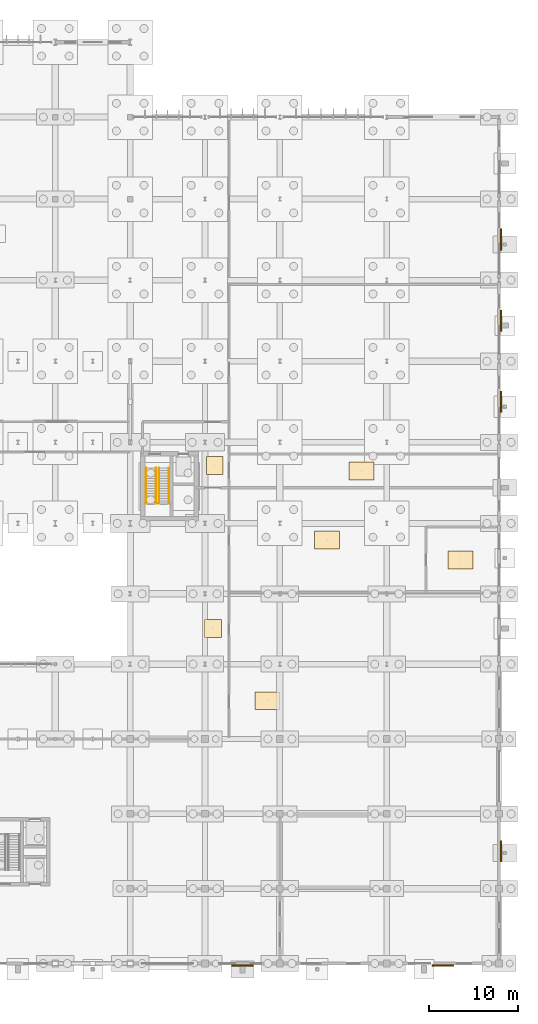
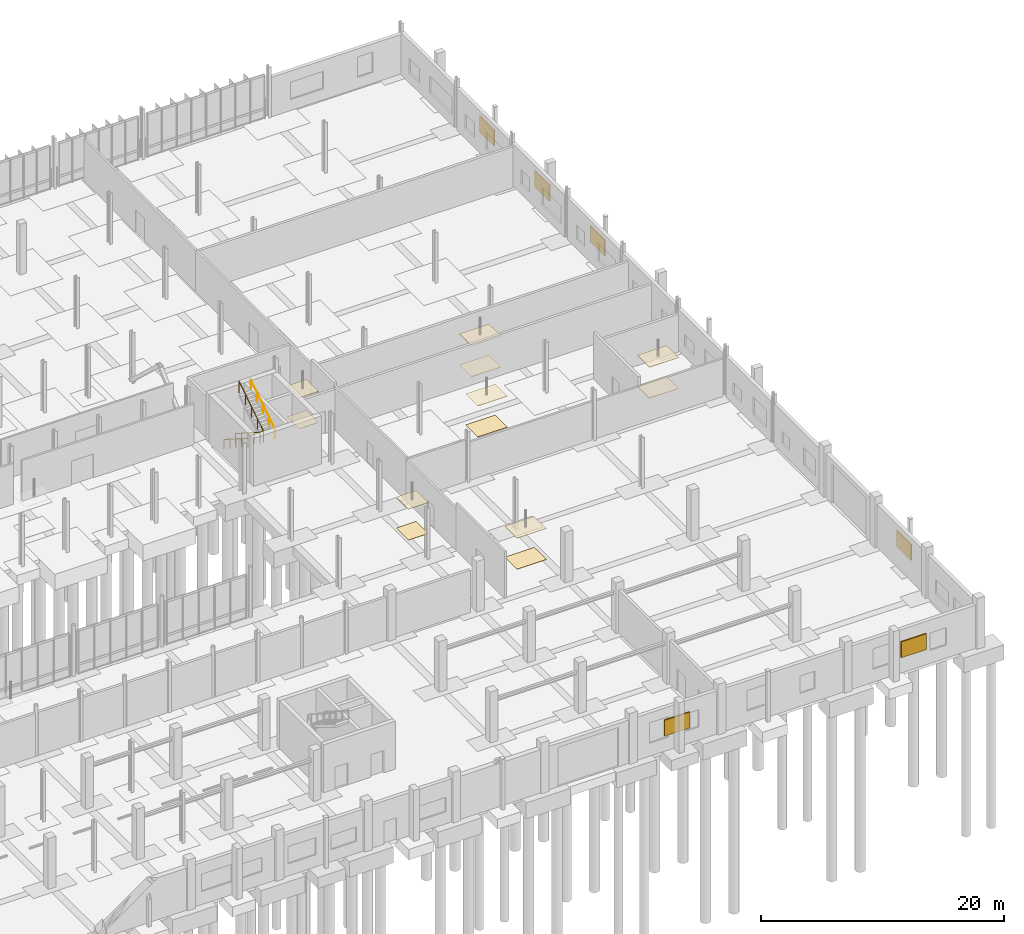
# One storey, part 117 of 119: 12 coverings, 6 shading devices, 3 railings.
"""IFC4 building model written with IfcOpenShell, lengths in metres."""

from ifc_helpers import new_model, si_unit, derived_unit, direction, frame, origin, origin_2d, place, context, subcontext, project, spatial, polyline, rectangle, circle, outline, extrude, material, layer, layer_set, type_object, element, save


model = new_model("IFC4")

# Units and contexts
model_context = context("Model", 3, precision=1e-05, world=origin(), true_north=direction((0.0, 1.0)))
body_context = subcontext(model_context, "Body", "Model", "MODEL_VIEW")
ifc_project = project(units=[si_unit("LENGTHUNIT", "METRE"), si_unit("AREAUNIT", "SQUARE_METRE"), si_unit("VOLUMEUNIT", "CUBIC_METRE"), si_unit("PLANEANGLEUNIT", "RADIAN"), si_unit("MASSUNIT", "GRAM", prefix="KILO"), derived_unit("THERMALTRANSMITTANCEUNIT", [(si_unit("MASSUNIT", "GRAM", prefix="KILO"), 1), (si_unit("TIMEUNIT", "SECOND"), -3), (si_unit("THERMODYNAMICTEMPERATUREUNIT", "KELVIN"), -1)])], contexts=[model_context])

# Site, building, storey
site_placement = place(None, origin())
site = spatial("IfcSite", under=ifc_project, at=site_placement, CompositionType="ELEMENT")
building_placement = place(site_placement, origin())
building = spatial("IfcBuilding", under=site, at=building_placement, Name="Makaiwela Harbour Ferry Terminal", CompositionType="ELEMENT")
storey_placement = place(building_placement, origin())
storey = spatial("IfcBuildingStorey", under=building, at=storey_placement, Name="L00", CompositionType="ELEMENT", Elevation=0.0)

# Shading devices
ifc_material_1 = material(Name="Marine anodised aluminium 6063-T6", Category="aluminium")
ifc_layer_1 = layer(ifc_material_1, 0.1201171875)
ifc_layer_set_1 = layer_set([ifc_layer_1], Name="Marine anodised aluminium 6063-T6")
shading_device_type = type_object("IfcShadingDeviceType", Name="ENV-LVR-STORM", PredefinedType="JALOUSIE", material=ifc_layer_set_1)
for number, where, z_axis, x_axis, name in (
    (1, (151.199951171875, -0.219970703125, 1.599853515625), (0.0, 0.0, 1.0), (-1.0, 0.0, 0.0), "Storm Louvre Bank LV-004"),
    (2, (173.699951171875, -0.219970703125, 1.599853515625), (0.0, 0.0, 1.0), (-1.0, 0.0, 0.0), "Storm Louvre Bank LV-005"),
    (3, (180.219970703125, 12.60009765625, 1.599853515625), (0.0, 0.0, 1.0), (0.0, -1.0, 0.0), "Storm Louvre Bank LV-007"),
    (4, (180.219970703125, 63.050048828125, 1.599853515625), (0.0, 0.0, 1.0), (0.0, -1.0, 0.0), "Storm Louvre Bank LV-008"),
    (5, (180.219970703125, 72.14990234375, 1.599853515625), (0.0, 0.0, 1.0), (0.0, -1.0, 0.0), "Storm Louvre Bank LV-009"),
    (6, (180.219970703125, 81.25, 1.599853515625), (0.0, 0.0, 1.0), (0.0, -1.0, 0.0), "Storm Louvre Bank LV-010"),
):
    element("IfcShadingDevice", number, at=place(storey_placement, frame(where, z_axis=z_axis, x_axis=x_axis)), inside=storey, type_object=shading_device_type, Name=name, PredefinedType="JALOUSIE", context=body_context, shape_type="SweptSolid", body=[
        extrude(rectangle(XDim=2.39990234375, YDim=0.1201171875, at=origin_2d()), origin(), (0.0, 0.0, 1.0), 1.60009765625),
    ])

# Coverings
ifc_material_2 = material(Name="Thermally modified Accoya timber acoustic slat ceiling", Category="wood")
ifc_layer_2 = layer(ifc_material_2, 0.0400390625)
ifc_layer_set_2 = layer_set([ifc_layer_2], Name="Thermally modified Accoya timber acoustic slat ceiling")
covering_type_1 = type_object("IfcCoveringType", Name="INT-COV-CEIL", PredefinedType="CEILING", material=ifc_layer_set_2)
covering_1_placement = place(storey_placement, frame((0.0, 0.0, 3.10009765625)))
element("IfcCovering", 7, at=covering_1_placement, inside=storey, type_object=covering_type_1, Name="Acoustic Timber Ceiling CLG-001", PredefinedType="CEILING", context=body_context, shape_type="SweptSolid", body=[
    extrude(outline(polyline([(147.14990234375, 54.89990234375), (149.0, 54.89990234375), (149.0, 56.89990234375), (147.14990234375, 56.89990234375), (147.14990234375, 54.89990234375)])), origin(), (0.0, 0.0, 1.0), 0.039794921875),
])
covering_2_placement = place(storey_placement, frame((0.0, 0.0, 3.10009765625)))
element("IfcCovering", 8, at=covering_2_placement, inside=storey, type_object=covering_type_1, Name="Acoustic Timber Ceiling CLG-013", PredefinedType="CEILING", context=body_context, shape_type="SweptSolid", body=[
    extrude(outline(polyline([(163.1650390625, 54.27490234375), (165.965087890625, 54.27490234375), (165.965087890625, 56.27490234375), (163.1650390625, 56.27490234375), (163.1650390625, 54.27490234375)])), origin(), (0.0, 0.0, 1.0), 0.039794921875),
])
covering_3_placement = place(storey_placement, frame((0.0, 0.0, 3.10009765625)))
element("IfcCovering", 9, at=covering_3_placement, inside=storey, type_object=covering_type_1, Name="Acoustic Timber Ceiling CLG-021", PredefinedType="CEILING", context=body_context, shape_type="SweptSolid", body=[
    extrude(outline(polyline([(152.60009765625, 28.5), (155.39990234375, 28.5), (155.39990234375, 30.5), (152.60009765625, 30.5), (152.60009765625, 28.5)])), origin(), (0.0, 0.0, 1.0), 0.039794921875),
])
covering_4_placement = place(storey_placement, frame((0.0, 0.0, 3.10009765625)))
element("IfcCovering", 10, at=covering_4_placement, inside=storey, type_object=covering_type_1, Name="Acoustic Timber Ceiling CLG-023", PredefinedType="CEILING", context=body_context, shape_type="SweptSolid", body=[
    extrude(outline(polyline([(146.949951171875, 36.587890625), (148.85009765625, 36.587890625), (148.85009765625, 38.587890625), (146.949951171875, 38.587890625), (146.949951171875, 36.587890625)])), origin(), (0.0, 0.0, 1.0), 0.039794921875),
])
covering_5_placement = place(storey_placement, frame((0.0, 0.0, 3.10009765625)))
element("IfcCovering", 11, at=covering_5_placement, inside=storey, type_object=covering_type_1, Name="Acoustic Timber Ceiling CLG-024", PredefinedType="CEILING", context=body_context, shape_type="SweptSolid", body=[
    extrude(outline(polyline([(174.300048828125, 44.300048828125), (177.10009765625, 44.300048828125), (177.10009765625, 46.300048828125), (174.300048828125, 46.300048828125), (174.300048828125, 44.300048828125)])), origin(), (0.0, 0.0, 1.0), 0.039794921875),
])
covering_6_placement = place(storey_placement, frame((0.0, 0.0, 3.10009765625)))
element("IfcCovering", 12, at=covering_6_placement, inside=storey, type_object=covering_type_1, Name="Acoustic Timber Ceiling CLG-025", PredefinedType="CEILING", context=body_context, shape_type="SweptSolid", body=[
    extrude(outline(polyline([(159.300048828125, 46.550048828125), (162.10009765625, 46.550048828125), (162.10009765625, 48.550048828125), (159.300048828125, 48.550048828125), (159.300048828125, 46.550048828125)])), origin(), (0.0, 0.0, 1.0), 0.039794921875),
])
ifc_material_3 = material(Name="Honed coral-aggregate epoxy terrazzo flooring", Category="concrete")
ifc_layer_3 = layer(ifc_material_3, 0.02490234375)
ifc_layer_set_3 = layer_set([ifc_layer_3], Name="Honed coral-aggregate epoxy terrazzo flooring")
covering_type_2 = type_object("IfcCoveringType", Name="INT-COV-FLR", PredefinedType="FLOORING", material=ifc_layer_set_3)
covering_7_placement = place(storey_placement, origin())
element("IfcCovering", 13, at=covering_7_placement, inside=storey, type_object=covering_type_2, Name="Terrazzo Flooring FLG-001", PredefinedType="FLOORING", context=body_context, shape_type="SweptSolid", body=[
    extrude(outline(polyline([(147.14990234375, 54.89990234375), (149.0, 54.89990234375), (149.0, 56.89990234375), (147.14990234375, 56.89990234375), (147.14990234375, 54.89990234375)])), origin(), (0.0, 0.0, 1.0), 0.02490234375),
])
covering_8_placement = place(storey_placement, origin())
element("IfcCovering", 14, at=covering_8_placement, inside=storey, type_object=covering_type_2, Name="Terrazzo Flooring FLG-013", PredefinedType="FLOORING", context=body_context, shape_type="SweptSolid", body=[
    extrude(outline(polyline([(163.1650390625, 54.27490234375), (165.965087890625, 54.27490234375), (165.965087890625, 56.27490234375), (163.1650390625, 56.27490234375), (163.1650390625, 54.27490234375)])), origin(), (0.0, 0.0, 1.0), 0.02490234375),
])
covering_9_placement = place(storey_placement, origin())
element("IfcCovering", 15, at=covering_9_placement, inside=storey, type_object=covering_type_2, Name="Terrazzo Flooring FLG-021", PredefinedType="FLOORING", context=body_context, shape_type="SweptSolid", body=[
    extrude(outline(polyline([(152.60009765625, 28.5), (155.39990234375, 28.5), (155.39990234375, 30.5), (152.60009765625, 30.5), (152.60009765625, 28.5)])), origin(), (0.0, 0.0, 1.0), 0.02490234375),
])
covering_10_placement = place(storey_placement, origin())
element("IfcCovering", 16, at=covering_10_placement, inside=storey, type_object=covering_type_2, Name="Terrazzo Flooring FLG-023", PredefinedType="FLOORING", context=body_context, shape_type="SweptSolid", body=[
    extrude(outline(polyline([(146.949951171875, 36.587890625), (148.85009765625, 36.587890625), (148.85009765625, 38.587890625), (146.949951171875, 38.587890625), (146.949951171875, 36.587890625)])), origin(), (0.0, 0.0, 1.0), 0.02490234375),
])
covering_11_placement = place(storey_placement, origin())
element("IfcCovering", 17, at=covering_11_placement, inside=storey, type_object=covering_type_2, Name="Terrazzo Flooring FLG-024", PredefinedType="FLOORING", context=body_context, shape_type="SweptSolid", body=[
    extrude(outline(polyline([(174.300048828125, 44.300048828125), (177.10009765625, 44.300048828125), (177.10009765625, 46.300048828125), (174.300048828125, 46.300048828125), (174.300048828125, 44.300048828125)])), origin(), (0.0, 0.0, 1.0), 0.02490234375),
])
covering_12_placement = place(storey_placement, origin())
element("IfcCovering", 18, at=covering_12_placement, inside=storey, type_object=covering_type_2, Name="Terrazzo Flooring FLG-025", PredefinedType="FLOORING", context=body_context, shape_type="SweptSolid", body=[
    extrude(outline(polyline([(159.300048828125, 46.550048828125), (162.10009765625, 46.550048828125), (162.10009765625, 48.550048828125), (159.300048828125, 48.550048828125), (159.300048828125, 46.550048828125)])), origin(), (0.0, 0.0, 1.0), 0.02490234375),
])

# Railings
ifc_material_4 = material(Name="Marine grade 316L brushed stainless steel", Category="steel")
railing_type_1 = type_object("IfcRailingType", Name="INT-RL-GRD110", PredefinedType="GUARDRAIL", material=ifc_material_4)
railing_1_placement = place(storey_placement, frame((141.510009765625, 55.60009765625, 0.0)))
element("IfcRailing", 19, at=railing_1_placement, inside=storey, type_object=railing_type_1, Name="Stair well guardrail RL-0073", PredefinedType="GUARDRAIL", context=body_context, shape_type="SweptSolid", body=[
    extrude(circle(Radius=0.02392578125, at=origin_2d()), frame((0.0, 0.0, 1.09619140625), z_axis=(0.0, -0.842611129269, 0.538522501696), x_axis=(1.0, 0.0, 0.0)), (0.0, 0.0, 1.0), 4.7353515625),
    extrude(circle(Radius=0.02392578125, at=origin_2d()), frame((0.0, -3.989990234375, 3.64599609375), z_axis=(1.0, 0.0, 0.0), x_axis=(0.0, 1.0, 0.0)), (0.0, 0.0, 1.0), 0.340087890625),
    extrude(circle(Radius=0.02392578125, at=origin_2d()), frame((0.340087890625, -3.989990234375, 3.64599609375), z_axis=(0.0, 0.842611129269, 0.538522501696), x_axis=(-1.0, 0.0, 0.0)), (0.0, 0.0, 1.0), 4.7353515625),
    extrude(circle(Radius=0.02099609375, at=origin_2d()), origin(), (0.0, 0.0, 1.0), 1.072021484375),
    extrude(circle(Radius=0.02099609375, at=origin_2d()), frame((0.0, -0.99755859375, 0.637451171875)), (0.0, 0.0, 1.0), 1.072021484375),
    extrude(circle(Radius=0.02099609375, at=origin_2d()), frame((0.0, -1.9951171875, 1.27490234375)), (0.0, 0.0, 1.0), 1.072021484375),
    extrude(circle(Radius=0.02099609375, at=origin_2d()), frame((0.0, -2.992431640625, 1.91259765625)), (0.0, 0.0, 1.0), 1.072021484375),
    extrude(circle(Radius=0.02099609375, at=origin_2d()), frame((0.0, -3.989990234375, 2.550048828125)), (0.0, 0.0, 1.0), 1.072021484375),
    extrude(circle(Radius=0.02099609375, at=origin_2d()), frame((0.340087890625, -3.989990234375, 2.550048828125)), (0.0, 0.0, 1.0), 1.072021484375),
    extrude(circle(Radius=0.02099609375, at=origin_2d()), frame((0.340087890625, -2.992431640625, 3.1875)), (0.0, 0.0, 1.0), 1.072021484375),
    extrude(circle(Radius=0.02099609375, at=origin_2d()), frame((0.340087890625, -1.9951171875, 3.8251953125)), (0.0, 0.0, 1.0), 1.072021484375),
    extrude(circle(Radius=0.02099609375, at=origin_2d()), frame((0.340087890625, -0.99755859375, 4.462646484375)), (0.0, 0.0, 1.0), 1.072021484375),
    extrude(circle(Radius=0.02099609375, at=origin_2d()), frame((0.340087890625, 0.0, 5.10009765625)), (0.0, 0.0, 1.0), 1.072021484375),
])
railing_type_2 = type_object("IfcRailingType", Name="INT-RL-HND090", PredefinedType="HANDRAIL", material=ifc_material_4)
railing_2_placement = place(storey_placement, frame((140.39990234375, 55.60009765625, 0.0)))
element("IfcRailing", 20, at=railing_2_placement, inside=storey, type_object=railing_type_2, Name="Stair wall handrail RL-0075", PredefinedType="HANDRAIL", context=body_context, shape_type="SweptSolid", body=[
    extrude(circle(Radius=0.02392578125, at=origin_2d()), frame((0.0, 0.0, 0.89111328125), z_axis=(0.0, -0.842611129269, 0.538522501696), x_axis=(1.0, 0.0, 0.0)), (0.0, 0.0, 1.0), 4.7353515625),
    extrude(circle(Radius=0.02099609375, at=origin_2d()), origin(), (0.0, 0.0, 1.0), 0.866943359375),
    extrude(circle(Radius=0.02099609375, at=origin_2d()), frame((0.0, -0.99755859375, 0.637451171875)), (0.0, 0.0, 1.0), 0.866943359375),
    extrude(circle(Radius=0.02099609375, at=origin_2d()), frame((0.0, -1.9951171875, 1.27490234375)), (0.0, 0.0, 1.0), 0.866943359375),
    extrude(circle(Radius=0.02099609375, at=origin_2d()), frame((0.0, -2.992431640625, 1.91259765625)), (0.0, 0.0, 1.0), 0.866943359375),
    extrude(circle(Radius=0.02099609375, at=origin_2d()), frame((0.0, -3.989990234375, 2.550048828125)), (0.0, 0.0, 1.0), 0.866943359375),
])
railing_3_placement = place(storey_placement, frame((142.9599609375, 51.610107421875, 2.550048828125)))
element("IfcRailing", 21, at=railing_3_placement, inside=storey, type_object=railing_type_2, Name="Stair upper handrail RL-0076", PredefinedType="HANDRAIL", context=body_context, shape_type="SweptSolid", body=[
    extrude(circle(Radius=0.02392578125, at=origin_2d()), frame((0.0, 0.0, 0.89111328125), z_axis=(0.0, 0.842611129269, 0.538522501696), x_axis=(-1.0, 0.0, 0.0)), (0.0, 0.0, 1.0), 4.7353515625),
    extrude(circle(Radius=0.02099609375, at=origin_2d()), origin(), (0.0, 0.0, 1.0), 0.866943359375),
    extrude(circle(Radius=0.02099609375, at=origin_2d()), frame((0.0, 0.99755859375, 0.637451171875)), (0.0, 0.0, 1.0), 0.866943359375),
    extrude(circle(Radius=0.02099609375, at=origin_2d()), frame((0.0, 1.9951171875, 1.27490234375)), (0.0, 0.0, 1.0), 0.866943359375),
    extrude(circle(Radius=0.02099609375, at=origin_2d()), frame((0.0, 2.992431640625, 1.91259765625)), (0.0, 0.0, 1.0), 0.866943359375),
    extrude(circle(Radius=0.02099609375, at=origin_2d()), frame((0.0, 3.989990234375, 2.550048828125)), (0.0, 0.0, 1.0), 0.866943359375),
])

save(model, "model.ifc")
